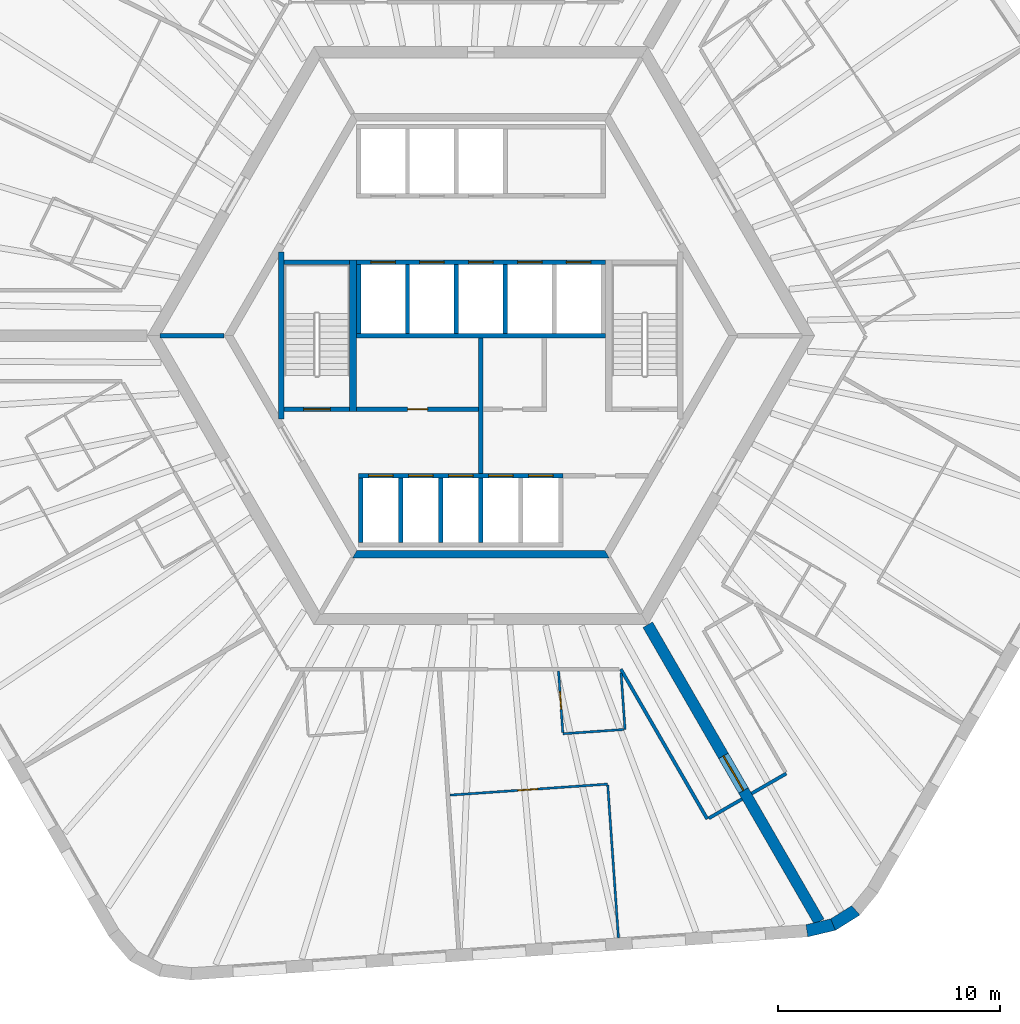
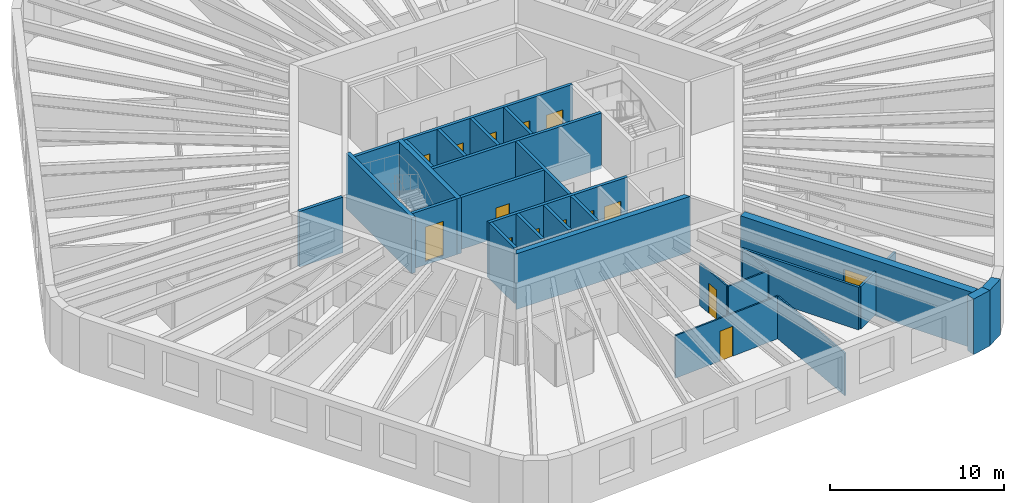
# One storey, part 4 of 10: 30 walls, 15 doors, 15 openings.
"""IFC4 building model written with IfcOpenShell, lengths in metres."""

from ifc_helpers import new_model, si_unit, direction, frame, frame_2d, origin, place, context, subcontext, project, spatial, polyline, rectangle, outline, extrude, material, layer, layer_set, type_object, element, fill, save


model = new_model("IFC4")

# Units and contexts
model_context = context("Model", 3, precision=1e-05, world=origin(), true_north=direction((0.0, 1.0)))
body_context = subcontext(model_context, "Body", "Model", "MODEL_VIEW")
ifc_project = project(units=[si_unit("LENGTHUNIT", "METRE"), si_unit("AREAUNIT", "SQUARE_METRE"), si_unit("VOLUMEUNIT", "CUBIC_METRE"), si_unit("PLANEANGLEUNIT", "RADIAN"), si_unit("MASSUNIT", "GRAM", prefix="KILO")], contexts=[model_context])

# Site, building, storey
site_placement = place(None, origin())
site = spatial("IfcSite", under=ifc_project, at=site_placement, CompositionType="ELEMENT")
building_placement = place(site_placement, origin())
building = spatial("IfcBuilding", under=site, at=building_placement, Name="Tarnside Tower", CompositionType="ELEMENT")
storey_placement = place(building_placement, frame((0.0, 0.0, 168.300048828125)))
storey = spatial("IfcBuildingStorey", under=building, at=storey_placement, Name="L39", CompositionType="ELEMENT", Elevation=168.300048828125)

# Walls
ifc_material_1 = material(Name="Gypsum board partition on steel studs", Category="steel")
ifc_layer_1 = layer(ifc_material_1, 0.10009765625)
ifc_layer_set_1 = layer_set([ifc_layer_1], Name="Bathroom wall 100")
wall_type_1 = type_object("IfcWallType", Name="Bathroom wall 100", PredefinedType="PARTITIONING", material=ifc_layer_set_1)
wall_1_placement = place(storey_placement, frame((6.30517578125, -15.170654296875, 0.0), z_axis=(0.0, 0.0, 1.0), x_axis=(0.069671554491, -0.99756998476, 0.0)))
element("IfcWall", 1, at=wall_1_placement, inside=storey, type_object=wall_type_1, Name="Bathroom wall 12081", PredefinedType="PARTITIONING", context=body_context, shape_type="SweptSolid", body=[
    extrude(rectangle(XDim=2.5439453125, YDim=0.10009765625, at=frame_2d((1.27197265625, 0.0))), origin(), (0.0, 0.0, 1.0), 2.98779296875),
])
wall_2_placement = place(storey_placement, frame((6.4326171875, -17.7119140625, 0.0), z_axis=(0.0, 0.0, 1.0), x_axis=(-0.997562614302, -0.069777005859, 0.0)))
element("IfcWall", 2, at=wall_2_placement, inside=storey, type_object=wall_type_1, Name="Bathroom wall 12082", PredefinedType="PARTITIONING", context=body_context, shape_type="SweptSolid", body=[
    extrude(rectangle(XDim=2.75, YDim=0.10009765625, at=frame_2d((1.375, 0.0))), origin(), (0.0, 0.0, 1.0), 2.98779296875),
])

# Wall, opening, door
wall_3_placement = place(storey_placement, frame((3.685791015625, -17.85400390625, 0.0), z_axis=(0.0, 0.0, 1.0), x_axis=(-0.069758488261, 0.997563909389, 0.0)))
wall_3 = element("IfcWall", 3, at=wall_3_placement, inside=storey, type_object=wall_type_1, Name="Bathroom wall 12083", PredefinedType="PARTITIONING", context=body_context, shape_type="SweptSolid", body=[
    extrude(rectangle(XDim=2.785888671875, YDim=0.10009765625, at=frame_2d((1.39306640625, 0.0))), origin(), (0.0, 0.0, 1.0), 2.98779296875),
])
opening_1_placement = place(wall_3_placement, frame((1.050048828125, 0.0, 0.0)))
opening_1 = element("IfcOpeningElement", 4, at=opening_1_placement, cuts=wall_3, Name="Opening D-B1", PredefinedType="OPENING", context=body_context, shape_type="SweptSolid", body=[
    extrude(rectangle(XDim=0.800048828125, YDim=2.10009765625, at=frame_2d((0.39990234375, 1.050048828125))), frame((0.0, 0.06005859375, 0.0), z_axis=(0.0, -1.0, 0.0), x_axis=(1.0, 0.0, 0.0)), (0.0, 0.0, 1.0), 0.1201171875),
])
ifc_material_2 = material(Name="Timber door leaf", Category="wood")
door_type_1 = type_object("IfcDoorType", Name="Bathroom door 800", OperationType="NOTDEFINED", PredefinedType="DOOR", material=ifc_material_2)
door_1_placement = place(opening_1_placement, origin())
door_1 = element("IfcDoor", 5, at=door_1_placement, inside=storey, type_object=door_type_1, Name="Bathroom door 12020", OperationType="SINGLE_SWING_LEFT", OverallHeight=2.10009765625, OverallWidth=0.800048828125, PredefinedType="DOOR", context=body_context, shape_type="SweptSolid", body=[
    extrude(rectangle(XDim=0.800048828125, YDim=2.10009765625, at=frame_2d((0.39990234375, 1.050048828125))), frame((0.0, 0.02490234375, 0.0), z_axis=(0.0, -1.0, 0.0), x_axis=(1.0, 0.0, 0.0)), (0.0, 0.0, 1.0), 0.050048828125),
])
fill(opening_1, door_1)

# Wall
ifc_material_3 = material(Name="Concrete C50/60", Category="concrete")
ifc_layer_2 = layer(ifc_material_3, 0.35009765625)
ifc_layer_set_2 = layer_set([ifc_layer_2], Name="Core block wall 350 C50/60")
wall_type_2 = type_object("IfcWallType", Name="Core block wall 350 C50/60", PredefinedType="SHEAR", material=ifc_layer_set_2)
wall_4_placement = place(storey_placement, frame((-5.672607421875, -9.824951171875, -0.150146484375), z_axis=(0.0, 0.0, 1.0), x_axis=(1.0, 0.0, 0.0)))
element("IfcWall", 6, at=wall_4_placement, inside=storey, type_object=wall_type_2, Name="L39 core block wall face 4", PredefinedType="SHEAR", context=body_context, shape_type="SweptSolid", body=[
    extrude(outline(polyline([(-0.10107421875, -0.175048828125), (11.4462890625, -0.175048828125), (11.244140625, 0.175048828125), (0.10107421875, 0.175048828125), (-0.10107421875, -0.175048828125)])), origin(), (0.0, 0.0, 1.0), 3.900146484375),
])

# Wall, opening, door
ifc_material_4 = material(Name="Concrete C40/50", Category="concrete")
ifc_layer_3 = layer(ifc_material_4, 0.199951171875)
ifc_layer_set_3 = layer_set([ifc_layer_3], Name="Core room partition 200 C40/50")
wall_type_3 = type_object("IfcWallType", Name="Core room partition 200 C40/50", PredefinedType="PARTITIONING", material=ifc_layer_set_3)
wall_5_placement = place(storey_placement, frame((-5.60009765625, -3.300048828125, 0.0), z_axis=(0.0, 0.0, 1.0), x_axis=(1.0, 0.0, 0.0)))
wall_5 = element("IfcWall", 7, at=wall_5_placement, inside=storey, type_object=wall_type_3, Name="L39 core partition W3", PredefinedType="PARTITIONING", context=body_context, shape_type="SweptSolid", body=[
    extrude(rectangle(XDim=5.5, YDim=0.199951171875, at=frame_2d((2.75, 0.0))), origin(), (0.0, 0.0, 1.0), 3.64990234375),
])
opening_2_placement = place(wall_5_placement, frame((2.300048828125, 0.0, 0.0)))
opening_2 = element("IfcOpeningElement", 8, at=opening_2_placement, cuts=wall_5, Name="Opening CD-room", PredefinedType="OPENING", context=body_context, shape_type="SweptSolid", body=[
    extrude(rectangle(XDim=0.89990234375, YDim=2.10009765625, at=frame_2d((0.449951171875, 1.050048828125))), frame((0.0, 0.10986328125, 0.0), z_axis=(0.0, -1.0, 0.0), x_axis=(1.0, 0.0, 0.0)), (0.0, 0.0, 1.0), 0.219970703125),
])
ifc_material_5 = material(Name="Steel fire door", Category="steel")
door_type_2 = type_object("IfcDoorType", Name="Room door FD60 900x2100", OperationType="NOTDEFINED", PredefinedType="DOOR", material=ifc_material_5)
door_2_placement = place(opening_2_placement, origin())
door_2 = element("IfcDoor", 9, at=door_2_placement, inside=storey, type_object=door_type_2, Name="L39 core room door W3D", OperationType="SINGLE_SWING_LEFT", OverallHeight=2.10009765625, OverallWidth=0.89990234375, PredefinedType="DOOR", context=body_context, shape_type="SweptSolid", body=[
    extrude(rectangle(XDim=0.89990234375, YDim=2.10009765625, at=frame_2d((0.449951171875, 1.050048828125))), frame((0.0, 0.02490234375, 0.0), z_axis=(0.0, -1.0, 0.0), x_axis=(1.0, 0.0, 0.0)), (0.0, 0.0, 1.0), 0.050048828125),
])
fill(opening_2, door_2)

# Wall
wall_6_placement = place(storey_placement, frame((0.0, -6.199951171875, 0.0), z_axis=(0.0, 0.0, 1.0), x_axis=(0.0, 1.0, 0.0)))
element("IfcWall", 10, at=wall_6_placement, inside=storey, type_object=wall_type_3, Name="L39 core partition X0", PredefinedType="PARTITIONING", context=body_context, shape_type="SweptSolid", body=[
    extrude(rectangle(XDim=6.099853515625, YDim=0.199951171875, at=frame_2d((3.0498046875, 0.0))), origin(), (0.0, 0.0, 1.0), 3.64990234375),
])

# Wall, opening, door
ifc_material_6 = material(Name="Concrete C70/85", Category="concrete")
ifc_layer_4 = layer(ifc_material_6, 0.5)
ifc_layer_set_4 = layer_set([ifc_layer_4], Name="Core wall Z2 500 C70/85")
wall_type_4 = type_object("IfcWallType", Name="Core wall Z2 500 C70/85", PredefinedType="SHEAR", material=ifc_layer_set_4)
wall_7_placement = place(storey_placement, frame((7.505615234375, -13.0, -0.150146484375), z_axis=(0.0, 0.0, 1.0), x_axis=(0.499988271576, -0.866032175087, 0.0)))
wall_7 = element("IfcWall", 11, at=wall_7_placement, inside=storey, type_object=wall_type_4, Name="L39 spine wall 3", PredefinedType="SHEAR", context=body_context, shape_type="SweptSolid", body=[
    extrude(rectangle(XDim=15.423583984375, YDim=0.5, at=frame_2d((7.7119140625, 0.0))), origin(), (0.0, 0.0, 1.0), 3.900146484375),
])
opening_3_placement = place(wall_7_placement, frame((6.811767578125, 0.0, 0.14990234375)))
opening_3 = element("IfcOpeningElement", 12, at=opening_3_placement, cuts=wall_7, Name="Opening CD-SPN", PredefinedType="OPENING", context=body_context, shape_type="SweptSolid", body=[
    extrude(rectangle(XDim=1.800048828125, YDim=2.39990234375, at=frame_2d((0.89990234375, 1.199951171875))), frame((0.0, 0.260009765625, 0.0), z_axis=(0.0, -1.0, 0.0), x_axis=(1.0, 0.0, 0.0)), (0.0, 0.0, 1.0), 0.52001953125),
])
door_type_3 = type_object("IfcDoorType", Name="Spine passage double door FD60 1800x2400", OperationType="NOTDEFINED", PredefinedType="DOOR", material=ifc_material_5)
door_3_placement = place(opening_3_placement, origin())
door_3 = element("IfcDoor", 13, at=door_3_placement, inside=storey, type_object=door_type_3, Name="L39 spine passage door 3", OperationType="DOUBLE_DOOR_SINGLE_SWING", OverallHeight=2.39990234375, OverallWidth=1.800048828125, PredefinedType="DOOR", context=body_context, shape_type="SweptSolid", body=[
    extrude(rectangle(XDim=1.800048828125, YDim=2.39990234375, at=frame_2d((0.89990234375, 1.199951171875))), frame((0.0, 0.02490234375, 0.0), z_axis=(0.0, -1.0, 0.0), x_axis=(1.0, 0.0, 0.0)), (0.0, 0.0, 1.0), 0.050048828125),
])
fill(opening_3, door_3)

# Walls
ifc_layer_5 = layer(ifc_material_1, 0.14990234375)
ifc_layer_set_5 = layer_set([ifc_layer_5], Name="Corridor wall 150 EI 60")
wall_type_5 = type_object("IfcWallType", Name="Corridor wall 150 EI 60", PredefinedType="PARTITIONING", material=ifc_layer_set_5)
wall_8_placement = place(storey_placement, frame((6.293212890625, -15.0, 0.0), z_axis=(0.0, 0.0, 1.0), x_axis=(0.499980313799, -0.86603676932, 0.0)))
element("IfcWall", 14, at=wall_8_placement, inside=storey, type_object=wall_type_5, Name="Corridor wall 12025", PredefinedType="PARTITIONING", context=body_context, shape_type="SweptSolid", body=[
    extrude(rectangle(XDim=7.785888671875, YDim=0.14990234375, at=frame_2d((3.89306640625, 0.0))), origin(), (0.0, 0.0, 1.0), 2.98779296875),
])
wall_9_placement = place(storey_placement, frame((10.2509765625, -21.705322265625, 0.0), z_axis=(0.0, 0.0, 1.0), x_axis=(0.866013532718, 0.500020560727, 0.0)))
element("IfcWall", 15, at=wall_9_placement, inside=storey, type_object=wall_type_5, Name="Corridor wall 12026", PredefinedType="PARTITIONING", context=body_context, shape_type="SweptSolid", body=[
    extrude(rectangle(XDim=1.72509765625, YDim=0.14990234375, at=frame_2d((0.862548828125, 0.0))), origin(), (0.0, 0.0, 1.0), 2.98779296875),
])
wall_10_placement = place(storey_placement, frame((12.177978515625, -20.5927734375, 0.0), z_axis=(0.0, 0.0, 1.0), x_axis=(0.866047807691, 0.499961193289, 0.0)))
element("IfcWall", 16, at=wall_10_placement, inside=storey, type_object=wall_type_5, Name="Corridor wall 12028", PredefinedType="PARTITIONING", context=body_context, shape_type="SweptSolid", body=[
    extrude(rectangle(XDim=1.800048828125, YDim=0.14990234375, at=frame_2d((0.89990234375, 0.0))), origin(), (0.0, 0.0, 1.0), 2.98779296875),
])

# Wall, openings, doors
ifc_layer_6 = layer(ifc_material_4, 0.199951171875)
ifc_layer_set_6 = layer_set([ifc_layer_6], Name="Lift shaft wall 200 C40/50")
wall_type_6 = type_object("IfcWallType", Name="Lift shaft wall 200 C40/50", PredefinedType="SHEAR", material=ifc_layer_set_6)
wall_11_placement = place(storey_placement, frame((-5.60009765625, 3.300048828125, -0.25), z_axis=(0.0, 0.0, 1.0), x_axis=(1.0, 0.0, 0.0)))
wall_11 = element("IfcWall", 17, at=wall_11_placement, inside=storey, type_object=wall_type_6, Name="L39 lift shaft front wall R2", PredefinedType="SHEAR", context=body_context, shape_type="SweptSolid", body=[
    extrude(rectangle(XDim=11.2001953125, YDim=0.199951171875, at=frame_2d((5.60009765625, 0.0))), origin(), (0.0, 0.0, 1.0), 3.89990234375),
])
opening_4_placement = place(wall_11_placement, frame((0.64990234375, 0.0, 0.25)))
opening_4 = element("IfcOpeningElement", 18, at=opening_4_placement, cuts=wall_11, Name="Opening LD", PredefinedType="OPENING", context=body_context, shape_type="SweptSolid", body=[
    extrude(rectangle(XDim=1.10009765625, YDim=2.10009765625, at=frame_2d((0.550048828125, 1.050048828125))), frame((0.0, 0.10986328125, 0.0), z_axis=(0.0, -1.0, 0.0), x_axis=(1.0, 0.0, 0.0)), (0.0, 0.0, 1.0), 0.219970703125),
])
opening_5_placement = place(wall_11_placement, frame((2.85009765625, 0.0, 0.25)))
opening_5 = element("IfcOpeningElement", 19, at=opening_5_placement, cuts=wall_11, Name="Opening LD", PredefinedType="OPENING", context=body_context, shape_type="SweptSolid", body=[
    extrude(rectangle(XDim=1.10009765625, YDim=2.10009765625, at=frame_2d((0.550048828125, 1.050048828125))), frame((0.0, 0.10986328125, 0.0), z_axis=(0.0, -1.0, 0.0), x_axis=(1.0, 0.0, 0.0)), (0.0, 0.0, 1.0), 0.219970703125),
])
opening_6_placement = place(wall_11_placement, frame((5.050048828125, 0.0, 0.25)))
opening_6 = element("IfcOpeningElement", 20, at=opening_6_placement, cuts=wall_11, Name="Opening LD", PredefinedType="OPENING", context=body_context, shape_type="SweptSolid", body=[
    extrude(rectangle(XDim=1.10009765625, YDim=2.10009765625, at=frame_2d((0.550048828125, 1.050048828125))), frame((0.0, 0.10986328125, 0.0), z_axis=(0.0, -1.0, 0.0), x_axis=(1.0, 0.0, 0.0)), (0.0, 0.0, 1.0), 0.219970703125),
])
opening_7_placement = place(wall_11_placement, frame((7.25, 0.0, 0.25)))
opening_7 = element("IfcOpeningElement", 21, at=opening_7_placement, cuts=wall_11, Name="Opening LD", PredefinedType="OPENING", context=body_context, shape_type="SweptSolid", body=[
    extrude(rectangle(XDim=1.10009765625, YDim=2.10009765625, at=frame_2d((0.550048828125, 1.050048828125))), frame((0.0, 0.10986328125, 0.0), z_axis=(0.0, -1.0, 0.0), x_axis=(1.0, 0.0, 0.0)), (0.0, 0.0, 1.0), 0.219970703125),
])
opening_8_placement = place(wall_11_placement, frame((9.449951171875, 0.0, 0.25)))
opening_8 = element("IfcOpeningElement", 22, at=opening_8_placement, cuts=wall_11, Name="Opening LD", PredefinedType="OPENING", context=body_context, shape_type="SweptSolid", body=[
    extrude(rectangle(XDim=1.10009765625, YDim=2.10009765625, at=frame_2d((0.550048828125, 1.050048828125))), frame((0.0, 0.10986328125, 0.0), z_axis=(0.0, -1.0, 0.0), x_axis=(1.0, 0.0, 0.0)), (0.0, 0.0, 1.0), 0.219970703125),
])
ifc_material_7 = material(Name="Stainless steel", Category="steel")
door_type_4 = type_object("IfcDoorType", Name="Lift landing door 1100x2100", OperationType="NOTDEFINED", PredefinedType="DOOR", material=ifc_material_7)
door_4_placement = place(opening_4_placement, origin())
door_4 = element("IfcDoor", 23, at=door_4_placement, inside=storey, type_object=door_type_4, Name="Mid-rise lift 4 landing door L39", OperationType="SLIDING_TO_LEFT", OverallHeight=2.10009765625, OverallWidth=1.10009765625, PredefinedType="DOOR", context=body_context, shape_type="SweptSolid", body=[
    extrude(rectangle(XDim=1.10009765625, YDim=2.10009765625, at=frame_2d((0.550048828125, 1.050048828125))), frame((0.0, 0.02490234375, 0.0), z_axis=(0.0, -1.0, 0.0), x_axis=(1.0, 0.0, 0.0)), (0.0, 0.0, 1.0), 0.050048828125),
])
fill(opening_4, door_4)
door_5_placement = place(opening_5_placement, origin())
door_5 = element("IfcDoor", 24, at=door_5_placement, inside=storey, type_object=door_type_4, Name="Mid-rise lift 5 landing door L39", OperationType="SLIDING_TO_LEFT", OverallHeight=2.10009765625, OverallWidth=1.10009765625, PredefinedType="DOOR", context=body_context, shape_type="SweptSolid", body=[
    extrude(rectangle(XDim=1.10009765625, YDim=2.10009765625, at=frame_2d((0.550048828125, 1.050048828125))), frame((0.0, 0.02490234375, 0.0), z_axis=(0.0, -1.0, 0.0), x_axis=(1.0, 0.0, 0.0)), (0.0, 0.0, 1.0), 0.050048828125),
])
fill(opening_5, door_5)
door_6_placement = place(opening_6_placement, origin())
door_6 = element("IfcDoor", 25, at=door_6_placement, inside=storey, type_object=door_type_4, Name="Mid-rise lift 6 landing door L39", OperationType="SLIDING_TO_LEFT", OverallHeight=2.10009765625, OverallWidth=1.10009765625, PredefinedType="DOOR", context=body_context, shape_type="SweptSolid", body=[
    extrude(rectangle(XDim=1.10009765625, YDim=2.10009765625, at=frame_2d((0.550048828125, 1.050048828125))), frame((0.0, 0.02490234375, 0.0), z_axis=(0.0, -1.0, 0.0), x_axis=(1.0, 0.0, 0.0)), (0.0, 0.0, 1.0), 0.050048828125),
])
fill(opening_6, door_6)
door_7_placement = place(opening_7_placement, origin())
door_7 = element("IfcDoor", 26, at=door_7_placement, inside=storey, type_object=door_type_4, Name="High sky-lobby shuttle 1 landing door L39", OperationType="SLIDING_TO_LEFT", OverallHeight=2.10009765625, OverallWidth=1.10009765625, PredefinedType="DOOR", context=body_context, shape_type="SweptSolid", body=[
    extrude(rectangle(XDim=1.10009765625, YDim=2.10009765625, at=frame_2d((0.550048828125, 1.050048828125))), frame((0.0, 0.02490234375, 0.0), z_axis=(0.0, -1.0, 0.0), x_axis=(1.0, 0.0, 0.0)), (0.0, 0.0, 1.0), 0.050048828125),
])
fill(opening_7, door_7)
door_8_placement = place(opening_8_placement, origin())
door_8 = element("IfcDoor", 27, at=door_8_placement, inside=storey, type_object=door_type_4, Name="Express sky-lobby shuttle 2 landing door L39", OperationType="SLIDING_TO_LEFT", OverallHeight=2.10009765625, OverallWidth=1.10009765625, PredefinedType="DOOR", context=body_context, shape_type="SweptSolid", body=[
    extrude(rectangle(XDim=1.10009765625, YDim=2.10009765625, at=frame_2d((0.550048828125, 1.050048828125))), frame((0.0, 0.02490234375, 0.0), z_axis=(0.0, -1.0, 0.0), x_axis=(1.0, 0.0, 0.0)), (0.0, 0.0, 1.0), 0.050048828125),
])
fill(opening_8, door_8)

# Walls
wall_12_placement = place(storey_placement, frame((-5.60009765625, 0.0, -0.25), z_axis=(0.0, 0.0, 1.0), x_axis=(1.0, 0.0, 0.0)))
element("IfcWall", 28, at=wall_12_placement, inside=storey, type_object=wall_type_6, Name="L39 lift shaft back wall R2", PredefinedType="SHEAR", context=body_context, shape_type="SweptSolid", body=[
    extrude(rectangle(XDim=11.2001953125, YDim=0.199951171875, at=frame_2d((5.60009765625, 0.0))), origin(), (0.0, 0.0, 1.0), 3.89990234375),
])
for number, where, z_axis, x_axis, name in (
    (29, (-5.5, 0.10009765625, -0.25), (0.0, 0.0, 1.0), (0.0, 1.0, 0.0), "L39 lift shaft partition R21"),
    (30, (-3.300048828125, 0.10009765625, -0.25), (0.0, 0.0, 1.0), (0.0, 1.0, 0.0), "L39 lift shaft partition R22"),
    (31, (-1.10009765625, 0.10009765625, -0.25), (0.0, 0.0, 1.0), (0.0, 1.0, 0.0), "L39 lift shaft partition R23"),
    (32, (1.10009765625, 0.10009765625, -0.25), (0.0, 0.0, 1.0), (0.0, 1.0, 0.0), "L39 lift shaft partition R24"),
):
    element("IfcWall", number, at=place(storey_placement, frame(where, z_axis=z_axis, x_axis=x_axis)), inside=storey, type_object=wall_type_6, Name=name, PredefinedType="SHEAR", context=body_context, shape_type="SweptSolid", body=[
        extrude(rectangle(XDim=3.099853515625, YDim=0.199951171875, at=frame_2d((1.5498046875, 0.0))), origin(), (0.0, 0.0, 1.0), 3.89990234375),
    ])

# Wall, openings, doors
wall_13_placement = place(storey_placement, frame((-5.5, -6.300048828125, -0.25), z_axis=(0.0, 0.0, 1.0), x_axis=(1.0, 0.0, 0.0)))
wall_13 = element("IfcWall", 33, at=wall_13_placement, inside=storey, type_object=wall_type_6, Name="L39 lift shaft front wall R4", PredefinedType="SHEAR", context=body_context, shape_type="SweptSolid", body=[
    extrude(rectangle(XDim=9.199951171875, YDim=0.199951171875, at=frame_2d((4.60009765625, 0.0))), origin(), (0.0, 0.0, 1.0), 3.89990234375),
])
opening_9_placement = place(wall_13_placement, frame((0.449951171875, 0.0, 0.25)))
opening_9 = element("IfcOpeningElement", 34, at=opening_9_placement, cuts=wall_13, Name="Opening LDF", PredefinedType="OPENING", context=body_context, shape_type="SweptSolid", body=[
    extrude(rectangle(XDim=1.10009765625, YDim=2.10009765625, at=frame_2d((0.550048828125, 1.050048828125))), frame((0.0, 0.10986328125, 0.0), z_axis=(0.0, -1.0, 0.0), x_axis=(1.0, 0.0, 0.0)), (0.0, 0.0, 1.0), 0.219970703125),
])
opening_10_placement = place(wall_13_placement, frame((2.25, 0.0, 0.25)))
opening_10 = element("IfcOpeningElement", 35, at=opening_10_placement, cuts=wall_13, Name="Opening LDF", PredefinedType="OPENING", context=body_context, shape_type="SweptSolid", body=[
    extrude(rectangle(XDim=1.10009765625, YDim=2.10009765625, at=frame_2d((0.550048828125, 1.050048828125))), frame((0.0, 0.10986328125, 0.0), z_axis=(0.0, -1.0, 0.0), x_axis=(1.0, 0.0, 0.0)), (0.0, 0.0, 1.0), 0.219970703125),
])
opening_11_placement = place(wall_13_placement, frame((4.050048828125, 0.0, 0.25)))
opening_11 = element("IfcOpeningElement", 36, at=opening_11_placement, cuts=wall_13, Name="Opening LDF", PredefinedType="OPENING", context=body_context, shape_type="SweptSolid", body=[
    extrude(rectangle(XDim=1.10009765625, YDim=2.10009765625, at=frame_2d((0.550048828125, 1.050048828125))), frame((0.0, 0.10986328125, 0.0), z_axis=(0.0, -1.0, 0.0), x_axis=(1.0, 0.0, 0.0)), (0.0, 0.0, 1.0), 0.219970703125),
])
opening_12_placement = place(wall_13_placement, frame((5.85009765625, 0.0, 0.25)))
opening_12 = element("IfcOpeningElement", 37, at=opening_12_placement, cuts=wall_13, Name="Opening LDF", PredefinedType="OPENING", context=body_context, shape_type="SweptSolid", body=[
    extrude(rectangle(XDim=1.10009765625, YDim=2.10009765625, at=frame_2d((0.550048828125, 1.050048828125))), frame((0.0, 0.10986328125, 0.0), z_axis=(0.0, -1.0, 0.0), x_axis=(1.0, 0.0, 0.0)), (0.0, 0.0, 1.0), 0.219970703125),
])
opening_13_placement = place(wall_13_placement, frame((7.64990234375, 0.0, 0.25)))
opening_13 = element("IfcOpeningElement", 38, at=opening_13_placement, cuts=wall_13, Name="Opening LDF", PredefinedType="OPENING", context=body_context, shape_type="SweptSolid", body=[
    extrude(rectangle(XDim=1.10009765625, YDim=2.10009765625, at=frame_2d((0.550048828125, 1.050048828125))), frame((0.0, 0.10986328125, 0.0), z_axis=(0.0, -1.0, 0.0), x_axis=(1.0, 0.0, 0.0)), (0.0, 0.0, 1.0), 0.219970703125),
])
door_type_5 = type_object("IfcDoorType", Name="Lift landing door 1100x2100 EI 120", OperationType="NOTDEFINED", PredefinedType="DOOR", material=ifc_material_7)
door_9_placement = place(opening_9_placement, origin())
door_9 = element("IfcDoor", 39, at=door_9_placement, inside=storey, type_object=door_type_5, Name="Firefighting lift 1 landing door L39", OperationType="SLIDING_TO_LEFT", OverallHeight=2.10009765625, OverallWidth=1.10009765625, PredefinedType="DOOR", context=body_context, shape_type="SweptSolid", body=[
    extrude(rectangle(XDim=1.10009765625, YDim=2.10009765625, at=frame_2d((0.550048828125, 1.050048828125))), frame((0.0, 0.02490234375, 0.0), z_axis=(0.0, -1.0, 0.0), x_axis=(1.0, 0.0, 0.0)), (0.0, 0.0, 1.0), 0.050048828125),
])
fill(opening_9, door_9)
door_10_placement = place(opening_10_placement, origin())
door_10 = element("IfcDoor", 40, at=door_10_placement, inside=storey, type_object=door_type_5, Name="Firefighting lift 2 landing door L39", OperationType="SLIDING_TO_LEFT", OverallHeight=2.10009765625, OverallWidth=1.10009765625, PredefinedType="DOOR", context=body_context, shape_type="SweptSolid", body=[
    extrude(rectangle(XDim=1.10009765625, YDim=2.10009765625, at=frame_2d((0.550048828125, 1.050048828125))), frame((0.0, 0.02490234375, 0.0), z_axis=(0.0, -1.0, 0.0), x_axis=(1.0, 0.0, 0.0)), (0.0, 0.0, 1.0), 0.050048828125),
])
fill(opening_10, door_10)
door_11_placement = place(opening_11_placement, origin())
door_11 = element("IfcDoor", 41, at=door_11_placement, inside=storey, type_object=door_type_5, Name="Firefighting lift 3 landing door L39", OperationType="SLIDING_TO_LEFT", OverallHeight=2.10009765625, OverallWidth=1.10009765625, PredefinedType="DOOR", context=body_context, shape_type="SweptSolid", body=[
    extrude(rectangle(XDim=1.10009765625, YDim=2.10009765625, at=frame_2d((0.550048828125, 1.050048828125))), frame((0.0, 0.02490234375, 0.0), z_axis=(0.0, -1.0, 0.0), x_axis=(1.0, 0.0, 0.0)), (0.0, 0.0, 1.0), 0.050048828125),
])
fill(opening_11, door_11)
door_12_placement = place(opening_12_placement, origin())
door_12 = element("IfcDoor", 42, at=door_12_placement, inside=storey, type_object=door_type_5, Name="Firefighting lift 4 landing door L39", OperationType="SLIDING_TO_LEFT", OverallHeight=2.10009765625, OverallWidth=1.10009765625, PredefinedType="DOOR", context=body_context, shape_type="SweptSolid", body=[
    extrude(rectangle(XDim=1.10009765625, YDim=2.10009765625, at=frame_2d((0.550048828125, 1.050048828125))), frame((0.0, 0.02490234375, 0.0), z_axis=(0.0, -1.0, 0.0), x_axis=(1.0, 0.0, 0.0)), (0.0, 0.0, 1.0), 0.050048828125),
])
fill(opening_12, door_12)
door_13_placement = place(opening_13_placement, origin())
door_13 = element("IfcDoor", 43, at=door_13_placement, inside=storey, type_object=door_type_5, Name="Firefighting lift 5 landing door L39", OperationType="SLIDING_TO_LEFT", OverallHeight=2.10009765625, OverallWidth=1.10009765625, PredefinedType="DOOR", context=body_context, shape_type="SweptSolid", body=[
    extrude(rectangle(XDim=1.10009765625, YDim=2.10009765625, at=frame_2d((0.550048828125, 1.050048828125))), frame((0.0, 0.02490234375, 0.0), z_axis=(0.0, -1.0, 0.0), x_axis=(1.0, 0.0, 0.0)), (0.0, 0.0, 1.0), 0.050048828125),
])
fill(opening_13, door_13)

# Walls
for number, where, z_axis, x_axis, name in (
    (44, (-5.39990234375, -9.300048828125, -0.25), (0.0, 0.0, 1.0), (0.0, 1.0, 0.0), "L39 lift shaft partition R41"),
    (45, (-3.60009765625, -9.300048828125, -0.25), (0.0, 0.0, 1.0), (0.0, 1.0, 0.0), "L39 lift shaft partition R42"),
    (46, (-1.800048828125, -9.300048828125, -0.25), (0.0, 0.0, 1.0), (0.0, 1.0, 0.0), "L39 lift shaft partition R43"),
    (47, (0.0, -9.300048828125, -0.25), (0.0, 0.0, 1.0), (0.0, 1.0, 0.0), "L39 lift shaft partition R44"),
):
    element("IfcWall", number, at=place(storey_placement, frame(where, z_axis=z_axis, x_axis=x_axis)), inside=storey, type_object=wall_type_6, Name=name, PredefinedType="SHEAR", context=body_context, shape_type="SweptSolid", body=[
        extrude(rectangle(XDim=2.900146484375, YDim=0.199951171875, at=frame_2d((1.4501953125, 0.0))), origin(), (0.0, 0.0, 1.0), 3.89990234375),
    ])
wall_14_placement = place(storey_placement, frame((-11.547119140625, 0.0, -0.150146484375), z_axis=(0.0, 0.0, 1.0), x_axis=(-1.0, 0.0, 0.0)))
element("IfcWall", 48, at=wall_14_placement, inside=storey, type_object=wall_type_6, Name="L39 core partition AR180", PredefinedType="SHEAR", context=body_context, shape_type="SweptSolid", body=[
    extrude(rectangle(XDim=2.88671875, YDim=0.199951171875, at=frame_2d((1.443359375, 0.0))), origin(), (0.0, 0.0, 1.0), 3.900146484375),
])
wall_15_placement = place(storey_placement, frame((-8.85009765625, 3.300048828125, -0.25), z_axis=(0.0, 0.0, 1.0), x_axis=(1.0, 0.0, 0.0)))
element("IfcWall", 49, at=wall_15_placement, inside=storey, type_object=wall_type_6, Name="L39 stair 2 enclosure cap wall n", PredefinedType="SHEAR", context=body_context, shape_type="SweptSolid", body=[
    extrude(rectangle(XDim=2.9501953125, YDim=0.199951171875, at=frame_2d((1.47509765625, 0.0))), origin(), (0.0, 0.0, 1.0), 3.89990234375),
])

# Wall, opening, door
wall_16_placement = place(storey_placement, frame((-8.85009765625, -3.300048828125, -0.25), z_axis=(0.0, 0.0, 1.0), x_axis=(1.0, 0.0, 0.0)))
wall_16 = element("IfcWall", 50, at=wall_16_placement, inside=storey, type_object=wall_type_6, Name="L39 stair 2 enclosure cap wall s", PredefinedType="SHEAR", context=body_context, shape_type="SweptSolid", body=[
    extrude(rectangle(XDim=2.9501953125, YDim=0.199951171875, at=frame_2d((1.47509765625, 0.0))), origin(), (0.0, 0.0, 1.0), 3.89990234375),
])
opening_14_placement = place(wall_16_placement, frame((0.875, 0.0, 0.25)))
opening_14 = element("IfcOpeningElement", 51, at=opening_14_placement, cuts=wall_16, Name="Opening CD-STR", PredefinedType="OPENING", context=body_context, shape_type="SweptSolid", body=[
    extrude(rectangle(XDim=1.199951171875, YDim=2.39990234375, at=frame_2d((0.60009765625, 1.199951171875))), frame((0.0, 0.10986328125, 0.0), z_axis=(0.0, -1.0, 0.0), x_axis=(1.0, 0.0, 0.0)), (0.0, 0.0, 1.0), 0.219970703125),
])
door_type_6 = type_object("IfcDoorType", Name="Stair door FD60S 1200x2400", OperationType="NOTDEFINED", PredefinedType="DOOR", material=ifc_material_5)
door_14_placement = place(opening_14_placement, origin())
door_14 = element("IfcDoor", 52, at=door_14_placement, inside=storey, type_object=door_type_6, Name="L39 stair 2 door", OperationType="SINGLE_SWING_LEFT", OverallHeight=2.39990234375, OverallWidth=1.199951171875, PredefinedType="DOOR", context=body_context, shape_type="SweptSolid", body=[
    extrude(rectangle(XDim=1.199951171875, YDim=2.39990234375, at=frame_2d((0.60009765625, 1.199951171875))), frame((0.0, 0.02490234375, 0.0), z_axis=(0.0, -1.0, 0.0), x_axis=(1.0, 0.0, 0.0)), (0.0, 0.0, 1.0), 0.050048828125),
])
fill(opening_14, door_14)

ifc_layer_7 = layer(ifc_material_1, 0.10009765625)
ifc_layer_set_7 = layer_set([ifc_layer_7], Name="Partition 100")
wall_type_7 = type_object("IfcWallType", Name="Partition 100", PredefinedType="PARTITIONING", material=ifc_layer_set_7)
wall_17_placement = place(storey_placement, frame((-1.389892578125, -20.664794921875, 0.0), z_axis=(0.0, 0.0, 1.0), x_axis=(0.997565277642, 0.069738919141, 0.0)))
wall_17 = element("IfcWall", 53, at=wall_17_placement, inside=storey, type_object=wall_type_7, Name="Partition wall 12084", PredefinedType="PARTITIONING", context=body_context, shape_type="SweptSolid", body=[
    extrude(rectangle(XDim=7.110107421875, YDim=0.10009765625, at=frame_2d((3.55517578125, 0.0))), origin(), (0.0, 0.0, 1.0), 2.98779296875),
])
opening_15_placement = place(wall_17_placement, frame((3.06005859375, 0.0, 0.0)))
opening_15 = element("IfcOpeningElement", 54, at=opening_15_placement, cuts=wall_17, Name="Opening D-I1", PredefinedType="OPENING", context=body_context, shape_type="SweptSolid", body=[
    extrude(rectangle(XDim=0.89990234375, YDim=2.10009765625, at=frame_2d((0.449951171875, 1.050048828125))), frame((0.0, 0.06005859375, 0.0), z_axis=(0.0, -1.0, 0.0), x_axis=(1.0, 0.0, 0.0)), (0.0, 0.0, 1.0), 0.1201171875),
])
door_type_7 = type_object("IfcDoorType", Name="Internal door 900", OperationType="NOTDEFINED", PredefinedType="DOOR", material=ifc_material_2)
door_15_placement = place(opening_15_placement, origin())
door_15 = element("IfcDoor", 55, at=door_15_placement, inside=storey, type_object=door_type_7, Name="Internal door 12021", OperationType="SINGLE_SWING_RIGHT", OverallHeight=2.10009765625, OverallWidth=0.89990234375, PredefinedType="DOOR", context=body_context, shape_type="SweptSolid", body=[
    extrude(rectangle(XDim=0.89990234375, YDim=2.10009765625, at=frame_2d((0.449951171875, 1.050048828125))), frame((0.0, 0.02490234375, 0.0), z_axis=(0.0, -1.0, 0.0), x_axis=(1.0, 0.0, 0.0)), (0.0, 0.0, 1.0), 0.050048828125),
])
fill(opening_15, door_15)

# Walls
wall_18_placement = place(storey_placement, frame((5.706298828125, -20.21875, 0.0), z_axis=(0.0, 0.0, 1.0), x_axis=(0.069774766037, -0.99756277097, 0.0)))
element("IfcWall", 56, at=wall_18_placement, inside=storey, type_object=wall_type_7, Name="Partition wall 12085", PredefinedType="PARTITIONING", context=body_context, shape_type="SweptSolid", body=[
    extrude(rectangle(XDim=6.882568359375, YDim=0.10009765625, at=frame_2d((3.44140625, 0.0))), origin(), (0.0, 0.0, 1.0), 2.98779296875),
])
ifc_layer_8 = layer(ifc_material_4, 0.25)
ifc_layer_set_8 = layer_set([ifc_layer_8], Name="Stair enclosure wall 250 C40/50")
wall_type_8 = type_object("IfcWallType", Name="Stair enclosure wall 250 C40/50", PredefinedType="SHEAR", material=ifc_layer_set_8)
wall_19_placement = place(storey_placement, frame((-8.97509765625, -3.7548828125, -0.25), z_axis=(0.0, 0.0, 1.0), x_axis=(0.0, 1.0, 0.0)))
element("IfcWall", 57, at=wall_19_placement, inside=storey, type_object=wall_type_8, Name="L39 stair 2 enclosure wall outer", PredefinedType="SHEAR", context=body_context, shape_type="SweptSolid", body=[
    extrude(rectangle(XDim=7.509765625, YDim=0.25, at=frame_2d((3.7548828125, 0.0))), origin(), (0.0, 0.0, 1.0), 3.89990234375),
])
ifc_layer_9 = layer(ifc_material_4, 0.300048828125)
ifc_layer_set_9 = layer_set([ifc_layer_9], Name="Stair enclosure wall 300 C40/50")
wall_type_9 = type_object("IfcWallType", Name="Stair enclosure wall 300 C40/50", PredefinedType="SHEAR", material=ifc_layer_set_9)
wall_20_placement = place(storey_placement, frame((-5.75, -3.39990234375, -0.25), z_axis=(0.0, 0.0, 1.0), x_axis=(0.0, 1.0, 0.0)))
element("IfcWall", 58, at=wall_20_placement, inside=storey, type_object=wall_type_9, Name="L39 stair 2 enclosure wall inner", PredefinedType="SHEAR", context=body_context, shape_type="SweptSolid", body=[
    extrude(rectangle(XDim=6.7998046875, YDim=0.300048828125, at=frame_2d((3.39990234375, 0.0))), origin(), (0.0, 0.0, 1.0), 3.89990234375),
])
ifc_material_8 = material(Name="Facing brick", Category="masonry")
ifc_layer_10 = layer(ifc_material_8, 0.10205078125)
ifc_material_9 = material(Name="Concrete C60/75 precast", Category="concrete")
ifc_layer_11 = layer(ifc_material_9, 0.347900390625)
ifc_material_10 = material(Name="Mineral wool insulation")
ifc_layer_12 = layer(ifc_material_10, 0.10009765625)
ifc_layer_set_10 = layer_set([ifc_layer_10, ifc_layer_11, ifc_layer_12], Name="Tube wall 550 brick faced")
wall_type_10 = type_object("IfcWallType", Name="Tube wall 550 brick faced", PredefinedType="SOLIDWALL", material=ifc_layer_set_10)
wall_21_placement = place(storey_placement, frame((14.663818359375, -26.767333984375, -0.150146484375), z_axis=(0.0, 0.0, 1.0), x_axis=(0.973063591128, 0.230536868247, 0.0)))
element("IfcWall", 59, at=wall_21_placement, inside=storey, type_object=wall_type_10, Name="Tube wall L39 F4 chord 13", PredefinedType="SOLIDWALL", context=body_context, shape_type="SweptSolid", body=[
    extrude(outline(polyline([(-0.0224609375, -0.27490234375), (1.25341796875, -0.27490234375), (1.1630859375, 0.27490234375), (0.0224609375, 0.27490234375), (-0.0224609375, -0.27490234375)])), origin(), (0.0, 0.0, 1.0), 3.900146484375),
])
wall_22_placement = place(storey_placement, frame((15.839599609375, -26.48876953125, -0.150146484375), z_axis=(0.0, 0.0, 1.0), x_axis=(0.848009655012, 0.52998077796, 0.0)))
element("IfcWall", 60, at=wall_22_placement, inside=storey, type_object=wall_type_10, Name="Tube wall L39 F4 chord 14", PredefinedType="SOLIDWALL", context=body_context, shape_type="SweptSolid", body=[
    extrude(outline(polyline([(-0.045166015625, -0.27490234375), (1.25341796875, -0.27490234375), (1.1630859375, 0.27490234375), (0.045166015625, 0.27490234375), (-0.045166015625, -0.27490234375)])), origin(), (0.0, 0.0, 1.0), 3.900146484375),
])

save(model, "model.ifc")
